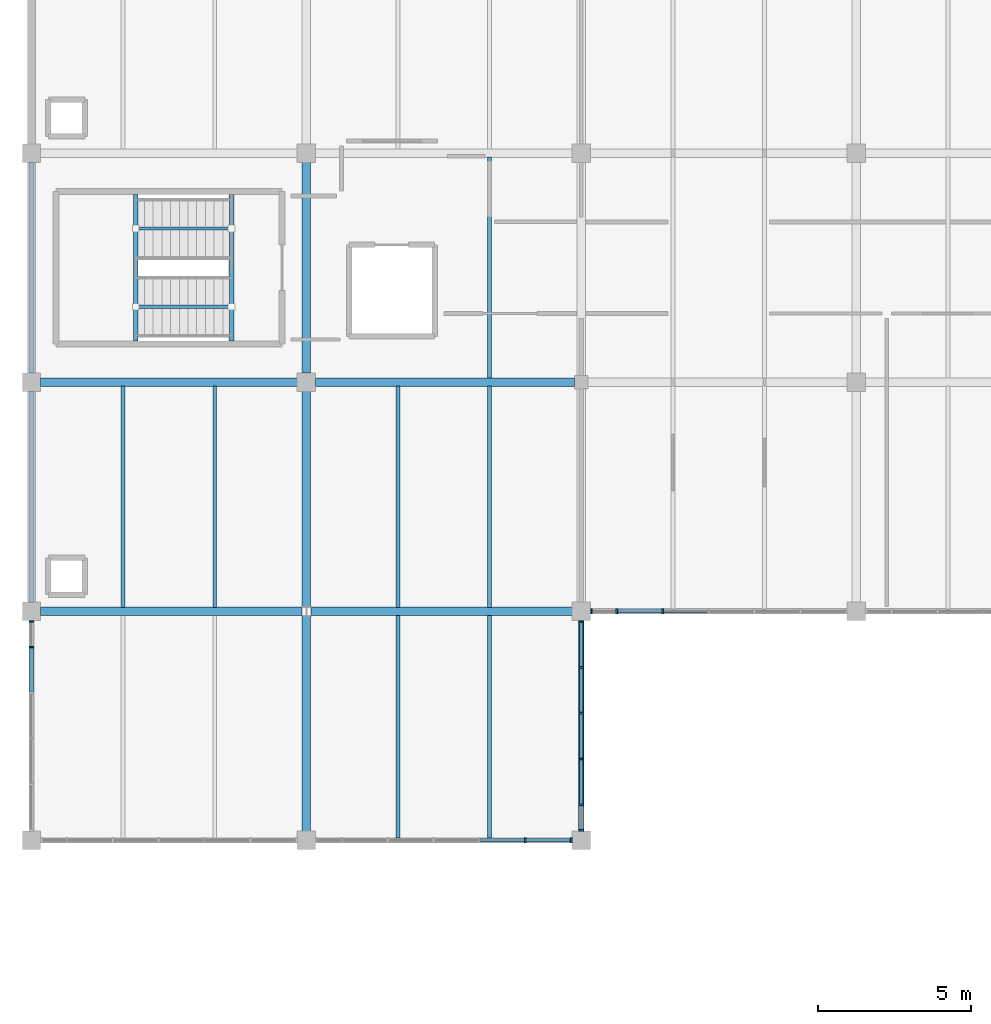
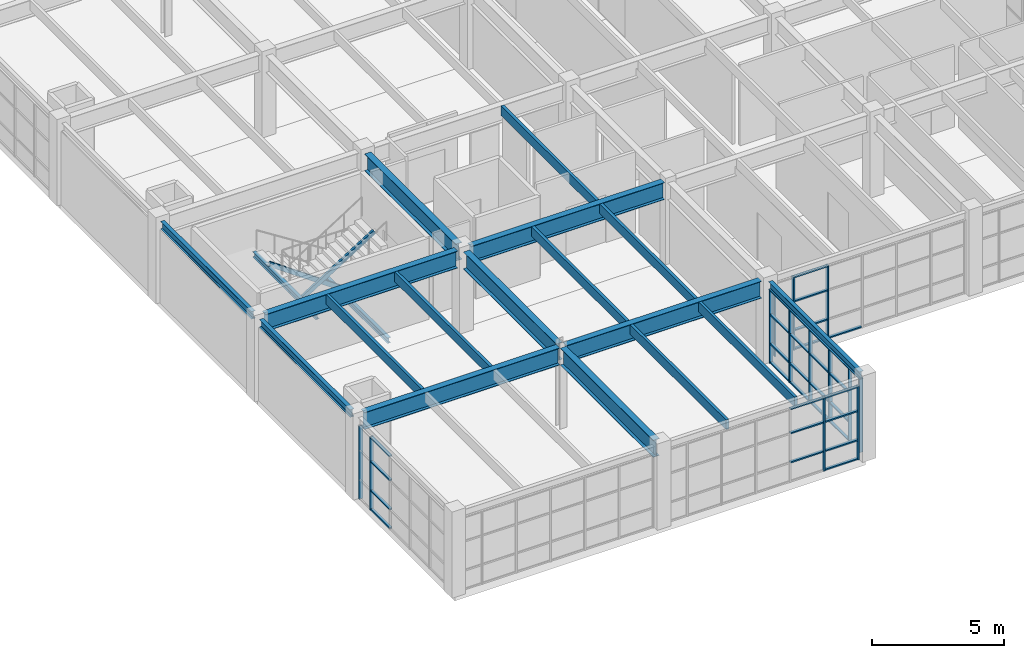
# One storey, part 27 of 76: 47 members, 19 beams, 4 elements without a shape of their own.
"""IFC4 building model written with IfcOpenShell, lengths in metres."""

from ifc_helpers import new_model, si_unit, direction, frame, origin, origin_2d, place, context, subcontext, project, spatial, rectangle, hollow_rectangle, i_section, extrude, material, layer, layer_set, material_profile, profile_set, type_object, element, aggregate, save


model = new_model("IFC4")

# Units and contexts
model_context = context("Model", 3, precision=1e-05, world=origin(), true_north=direction((0.0, 1.0)))
body_context = subcontext(model_context, "Body", "Model", "MODEL_VIEW")
ifc_project = project(units=[si_unit("LENGTHUNIT", "METRE"), si_unit("AREAUNIT", "SQUARE_METRE"), si_unit("VOLUMEUNIT", "CUBIC_METRE"), si_unit("PLANEANGLEUNIT", "RADIAN"), si_unit("MASSUNIT", "GRAM", prefix="KILO")], contexts=[model_context])

# Site, building, storey
site_placement = place(None, origin())
site = spatial("IfcSite", under=ifc_project, at=site_placement, CompositionType="ELEMENT")
building_placement = place(site_placement, origin())
building = spatial("IfcBuilding", under=site, at=building_placement, Name="Marnridge Secondary College", CompositionType="ELEMENT")
storey_placement = place(building_placement, frame((0.0, 0.0, 4.5)))
storey = spatial("IfcBuildingStorey", under=building, at=storey_placement, Name="L01", CompositionType="ELEMENT", Elevation=4.5)

# Beams
ifc_material_1 = material(Name="Engineered timber LVL E13.2", Category="wood")
ifc_material_profile_1 = material_profile(ifc_material_1, rectangle(XDim=0.1259765625, YDim=0.449951171875, at=origin_2d()), Name="LVL 126x450")
ifc_profile_set_1 = profile_set([ifc_material_profile_1], Name="Engineered timber LVL E13.2")
beam_type_1 = type_object("IfcBeamType", Name="BM-LVL450-INT", PredefinedType="JOIST", material=ifc_profile_set_1)
for number, where, z_axis, x_axis, name in (
    (1, (3.0, 82.631591796875, 3.534912109375), (0.0, 1.0, 0.0), (-1.0, 0.0, 0.0), "Beam BJ-L01-0616"),
    (2, (6.0, 82.631591796875, 3.534912109375), (0.0, 1.0, 0.0), (-1.0, 0.0, 0.0), "Beam BJ-L01-0617"),
    (3, (12.0, 82.631591796875, 3.534912109375), (0.0, 1.0, 0.0), (-1.0, 0.0, 0.0), "Beam BJ-L01-0624"),
    (4, (15.0, 82.631591796875, 3.534912109375), (0.0, 1.0, 0.0), (-1.0, 0.0, 0.0), "Beam BJ-L01-0625"),
    (5, (15.0, 90.131591796875, 3.534912109375), (0.0, 1.0, 0.0), (-1.0, 0.0, 0.0), "Beam BJ-L01-0626"),
):
    element("IfcBeam", number, at=place(storey_placement, frame(where, z_axis=z_axis, x_axis=x_axis)), inside=storey, type_object=beam_type_1, Name=name, PredefinedType="JOIST", context=body_context, shape_type="SweptSolid", body=[
        extrude(rectangle(XDim=0.1259765625, YDim=0.449951171875, at=origin_2d()), origin(), (0.0, 0.0, 1.0), 7.23681640625),
    ])
for number, where, z_axis, x_axis, name in (
    (6, (12.0, 75.07958984375, 3.534912109375), (0.0, 1.0, 0.0), (-1.0, 0.0, 0.0), "Beam BJ-L01-0653"),
    (7, (15.0, 75.07958984375, 3.534912109375), (0.0, 1.0, 0.0), (-1.0, 0.0, 0.0), "Beam BJ-L01-0654"),
):
    element("IfcBeam", number, at=place(storey_placement, frame(where, z_axis=z_axis, x_axis=x_axis)), inside=storey, type_object=beam_type_1, Name=name, PredefinedType="JOIST", context=body_context, shape_type="SweptSolid", body=[
        extrude(rectangle(XDim=0.1259765625, YDim=0.449951171875, at=origin_2d()), origin(), (0.0, 0.0, 1.0), 7.288818359375),
    ])
ifc_material_2 = material(Name="Structural steel Grade 350 (AS/NZS 3679.1/.2, fy = 340-360 MPa)", Category="steel")
ifc_material_profile_2 = material_profile(ifc_material_2, i_section(OverallWidth=0.146240234375, OverallDepth=0.256103515625, WebThickness=0.00634765625, FlangeThickness=0.010986328125, FilletRadius=0.0087890625, at=origin_2d()), Name="250UB37.3")
ifc_profile_set_2 = profile_set([ifc_material_profile_2], Name="Structural steel Grade 350 (AS/NZS 3679.1/.2, fy = 340-360 MPa)")
beam_type_2 = type_object("IfcBeamType", Name="BM-UB250-EXT", PredefinedType="LINTEL", material=ifc_profile_set_2)
for number, where, z_axis, x_axis, name in (
    (8, (6.550048828125, 91.342041015625, -0.528076171875), (0.0, 1.0, 0.0), (-1.0, 0.0, 0.0), "Stair landing trimmer beam BT-L01-038"),
    (9, (3.4150390625, 91.342041015625, 1.671875), (0.0, 1.0, 0.0), (-1.0, 0.0, 0.0), "Stair landing trimmer beam BT-L01-039"),
):
    element("IfcBeam", number, at=place(storey_placement, frame(where, z_axis=z_axis, x_axis=x_axis)), inside=storey, type_object=beam_type_2, Name=name, PredefinedType="LINTEL", context=body_context, shape_type="SweptSolid", body=[
        extrude(i_section(OverallWidth=0.146240234375, OverallDepth=0.256103515625, WebThickness=0.00634765625, FlangeThickness=0.010986328125, FilletRadius=0.0087890625, at=origin_2d()), origin(), (0.0, 0.0, 1.0), 4.802978515625),
    ])
ifc_material_3 = material(Name="Structural steel Grade 350 (AS/NZS 3679.1/.2, fy = 340-360 MPa)", Category="steel")
ifc_material_profile_3 = material_profile(ifc_material_3, i_section(OverallWidth=0.1708984375, OverallDepth=0.35205078125, WebThickness=0.0068359375, FlangeThickness=0.009765625, FilletRadius=0.011474609375, at=origin_2d()), Name="360UB44.7")
ifc_profile_set_3 = profile_set([ifc_material_profile_3], Name="Structural steel Grade 350 (AS/NZS 3679.1/.2, fy = 340-360 MPa)")
beam_type_3 = type_object("IfcBeamType", Name="BM-UB360-EXT", PredefinedType="SPANDREL", material=ifc_profile_set_3)
for number, where, z_axis, x_axis, name in (
    (10, (0.0, 82.7939453125, 3.583984375), (0.0, 1.0, 0.0), (-1.0, 0.0, 0.0), "Beam BS-L01-0564"),
    (11, (0.0, 90.2939453125, 3.583984375), (0.0, 1.0, 0.0), (-1.0, 0.0, 0.0), "Beam BS-L01-0567"),
    (12, (18.0, 75.2939453125, 3.583984375), (0.0, 1.0, 0.0), (-1.0, 0.0, 0.0), "Beam BS-L01-0615"),
):
    element("IfcBeam", number, at=place(storey_placement, frame(where, z_axis=z_axis, x_axis=x_axis)), inside=storey, type_object=beam_type_3, Name=name, PredefinedType="SPANDREL", context=body_context, shape_type="SweptSolid", body=[
        extrude(i_section(OverallWidth=0.1708984375, OverallDepth=0.35205078125, WebThickness=0.0068359375, FlangeThickness=0.009765625, FilletRadius=0.011474609375, at=origin_2d()), origin(), (0.0, 0.0, 1.0), 6.912109375),
    ])
ifc_material_4 = material(Name="Structural steel Grade 350 (AS/NZS 3679.1/.2, fy = 340-360 MPa)", Category="steel")
ifc_material_profile_4 = material_profile(ifc_material_4, i_section(OverallWidth=0.27490234375, OverallDepth=0.7919921875, WebThickness=0.010009765625, FlangeThickness=0.02001953125, at=origin_2d()), Name="800WB146")
ifc_profile_set_4 = profile_set([ifc_material_profile_4], Name="Structural steel Grade 350 (AS/NZS 3679.1/.2, fy = 340-360 MPa)")
beam_type_4 = type_object("IfcBeamType", Name="BM-WB800-INT", PredefinedType="BEAM", material=ifc_profile_set_4)
beam_1_placement = place(storey_placement, frame((0.2939453125, 82.5, 3.364013671875), z_axis=(1.0, 0.0, 0.0), x_axis=(0.0, 1.0, 0.0)))
element("IfcBeam", 13, at=beam_1_placement, inside=storey, type_object=beam_type_4, Name="Beam B-L01-0562", PredefinedType="BEAM", context=body_context, shape_type="SweptSolid", body=[
    extrude(i_section(OverallWidth=0.27490234375, OverallDepth=0.7919921875, WebThickness=0.010009765625, FlangeThickness=0.02001953125, at=origin_2d()), origin(), (0.0, 0.0, 1.0), 8.557373046875),
])
beam_2_placement = place(storey_placement, frame((0.2939453125, 90.0, 3.364013671875), z_axis=(1.0, 0.0, 0.0), x_axis=(0.0, 1.0, 0.0)))
element("IfcBeam", 14, at=beam_2_placement, inside=storey, type_object=beam_type_4, Name="Beam B-L01-0563", PredefinedType="BEAM", context=body_context, shape_type="SweptSolid", body=[
    extrude(i_section(OverallWidth=0.27490234375, OverallDepth=0.7919921875, WebThickness=0.010009765625, FlangeThickness=0.02001953125, at=origin_2d()), origin(), (0.0, 0.0, 1.0), 8.412109375),
])
beam_3_placement = place(storey_placement, frame((9.0, 82.654296875, 3.364013671875), z_axis=(0.0, 1.0, 0.0), x_axis=(-1.0, 0.0, 0.0)))
element("IfcBeam", 15, at=beam_3_placement, inside=storey, type_object=beam_type_4, Name="Beam B-L01-0565", PredefinedType="BEAM", context=body_context, shape_type="SweptSolid", body=[
    extrude(i_section(OverallWidth=0.27490234375, OverallDepth=0.7919921875, WebThickness=0.010009765625, FlangeThickness=0.02001953125, at=origin_2d()), origin(), (0.0, 0.0, 1.0), 7.0517578125),
])
beam_4_placement = place(storey_placement, frame((9.0, 90.2939453125, 3.364013671875), z_axis=(0.0, 1.0, 0.0), x_axis=(-1.0, 0.0, 0.0)))
element("IfcBeam", 16, at=beam_4_placement, inside=storey, type_object=beam_type_4, Name="Beam B-L01-0568", PredefinedType="BEAM", context=body_context, shape_type="SweptSolid", body=[
    extrude(i_section(OverallWidth=0.27490234375, OverallDepth=0.7919921875, WebThickness=0.010009765625, FlangeThickness=0.02001953125, at=origin_2d()), origin(), (0.0, 0.0, 1.0), 6.912109375),
])
beam_5_placement = place(storey_placement, frame((9.148681640625, 82.5, 3.364013671875), z_axis=(1.0, 0.0, 0.0), x_axis=(0.0, 1.0, 0.0)))
element("IfcBeam", 17, at=beam_5_placement, inside=storey, type_object=beam_type_4, Name="Beam B-L01-0578", PredefinedType="BEAM", context=body_context, shape_type="SweptSolid", body=[
    extrude(i_section(OverallWidth=0.27490234375, OverallDepth=0.7919921875, WebThickness=0.010009765625, FlangeThickness=0.02001953125, at=origin_2d()), origin(), (0.0, 0.0, 1.0), 8.557373046875),
])
beam_6_placement = place(storey_placement, frame((9.2939453125, 90.0, 3.364013671875), z_axis=(1.0, 0.0, 0.0), x_axis=(0.0, 1.0, 0.0)))
element("IfcBeam", 18, at=beam_6_placement, inside=storey, type_object=beam_type_4, Name="Beam B-L01-0579", PredefinedType="BEAM", context=body_context, shape_type="SweptSolid", body=[
    extrude(i_section(OverallWidth=0.27490234375, OverallDepth=0.7919921875, WebThickness=0.010009765625, FlangeThickness=0.02001953125, at=origin_2d()), origin(), (0.0, 0.0, 1.0), 8.487060546875),
])
beam_7_placement = place(storey_placement, frame((9.0, 75.2939453125, 3.364013671875), z_axis=(0.0, 1.0, 0.0), x_axis=(-1.0, 0.0, 0.0)))
element("IfcBeam", 19, at=beam_7_placement, inside=storey, type_object=beam_type_4, Name="Beam B-L01-0613", PredefinedType="BEAM", context=body_context, shape_type="SweptSolid", body=[
    extrude(i_section(OverallWidth=0.27490234375, OverallDepth=0.7919921875, WebThickness=0.010009765625, FlangeThickness=0.02001953125, at=origin_2d()), origin(), (0.0, 0.0, 1.0), 7.0517578125),
])

# Curtain wall, members
ifc_material_5 = material(Name="Thermally broken aluminium and low-E glazing", Category="aluminium")
ifc_layer = layer(ifc_material_5, 0.159912109375)
ifc_layer_set = layer_set([ifc_layer], Name="CW-MOD-1500")
curtain_wall_type = type_object("IfcCurtainWallType", Name="CW-MOD-1500", PredefinedType="NOTDEFINED", material=ifc_layer_set)
curtain_wall_1_placement = place(storey_placement, origin())
curtain_wall_1 = element("IfcCurtainWall", 20, at=curtain_wall_1_placement, inside=storey, type_object=curtain_wall_type, Name="Unitised curtain wall CW-L01-052", PredefinedType="NOTDEFINED")
ifc_material_6 = material(Name="Anodised aluminium 6063-T6", Category="aluminium")
ifc_material_profile_5 = material_profile(ifc_material_6, rectangle(XDim=0.06005859375, YDim=0.159912109375, at=origin_2d()), Name="ALU 60x160")
ifc_profile_set_5 = profile_set([ifc_material_profile_5], Name="Anodised aluminium 6063-T6")
member_type_1 = type_object("IfcMemberType", Name="CWM-ALU160", PredefinedType="MULLION", material=ifc_profile_set_5)
member_1_placement = place(storey_placement, frame((20.666015625, 82.5, 0.0), z_axis=(0.0, 0.0, 1.0), x_axis=(-1.0, 0.0, 0.0)))
member_1 = element("IfcMember", 21, at=member_1_placement, type_object=member_type_1, Name="CW-L01-052 mullion 5", PredefinedType="MULLION", context=body_context, shape_type="SweptSolid", body=[
    extrude(rectangle(XDim=0.06005859375, YDim=0.159912109375, at=origin_2d()), origin(), (0.0, 0.0, 1.0), 3.39990234375),
])
member_2_placement = place(storey_placement, frame((19.166015625, 82.5, 0.0), z_axis=(0.0, 0.0, 1.0), x_axis=(-1.0, 0.0, 0.0)))
member_2 = element("IfcMember", 22, at=member_2_placement, type_object=member_type_1, Name="CW-L01-052 mullion 6", PredefinedType="MULLION", context=body_context, shape_type="SweptSolid", body=[
    extrude(rectangle(XDim=0.06005859375, YDim=0.159912109375, at=origin_2d()), origin(), (0.0, 0.0, 1.0), 3.39990234375),
])
member_3_placement = place(storey_placement, frame((18.333984375, 82.5, 0.0), z_axis=(0.0, 0.0, 1.0), x_axis=(-1.0, 0.0, 0.0)))
member_3 = element("IfcMember", 23, at=member_3_placement, type_object=member_type_1, Name="CW-L01-052 mullion 7", PredefinedType="MULLION", context=body_context, shape_type="SweptSolid", body=[
    extrude(rectangle(XDim=0.06005859375, YDim=0.159912109375, at=origin_2d()), origin(), (0.0, 0.0, 1.0), 3.39990234375),
])

curtain_wall_2_placement = place(storey_placement, origin())
curtain_wall_2 = element("IfcCurtainWall", 24, at=curtain_wall_2_placement, inside=storey, type_object=curtain_wall_type, Name="Unitised curtain wall CW-L01-053", PredefinedType="NOTDEFINED")
member_4_placement = place(storey_placement, frame((18.0, 82.166015625, 0.0), z_axis=(0.0, 0.0, 1.0), x_axis=(0.0, -1.0, 0.0)))
member_4 = element("IfcMember", 25, at=member_4_placement, type_object=member_type_1, Name="CW-L01-053 mullion 1", PredefinedType="MULLION", context=body_context, shape_type="SweptSolid", body=[
    extrude(rectangle(XDim=0.06005859375, YDim=0.159912109375, at=origin_2d()), origin(), (0.0, 0.0, 1.0), 3.39990234375),
])
member_5_placement = place(storey_placement, frame((18.0, 80.666015625, 0.0), z_axis=(0.0, 0.0, 1.0), x_axis=(0.0, -1.0, 0.0)))
member_5 = element("IfcMember", 26, at=member_5_placement, type_object=member_type_1, Name="CW-L01-053 mullion 2", PredefinedType="MULLION", context=body_context, shape_type="SweptSolid", body=[
    extrude(rectangle(XDim=0.06005859375, YDim=0.159912109375, at=origin_2d()), origin(), (0.0, 0.0, 1.0), 3.39990234375),
])
member_6_placement = place(storey_placement, frame((18.0, 79.166015625, 0.0), z_axis=(0.0, 0.0, 1.0), x_axis=(0.0, -1.0, 0.0)))
member_6 = element("IfcMember", 27, at=member_6_placement, type_object=member_type_1, Name="CW-L01-053 mullion 3", PredefinedType="MULLION", context=body_context, shape_type="SweptSolid", body=[
    extrude(rectangle(XDim=0.06005859375, YDim=0.159912109375, at=origin_2d()), origin(), (0.0, 0.0, 1.0), 3.39990234375),
])
member_7_placement = place(storey_placement, frame((18.0, 77.666015625, 0.0), z_axis=(0.0, 0.0, 1.0), x_axis=(0.0, -1.0, 0.0)))
member_7 = element("IfcMember", 28, at=member_7_placement, type_object=member_type_1, Name="CW-L01-053 mullion 4", PredefinedType="MULLION", context=body_context, shape_type="SweptSolid", body=[
    extrude(rectangle(XDim=0.06005859375, YDim=0.159912109375, at=origin_2d()), origin(), (0.0, 0.0, 1.0), 3.39990234375),
])
member_8_placement = place(storey_placement, frame((18.0, 76.166015625, 0.0), z_axis=(0.0, 0.0, 1.0), x_axis=(0.0, -1.0, 0.0)))
member_8 = element("IfcMember", 29, at=member_8_placement, type_object=member_type_1, Name="CW-L01-053 mullion 5", PredefinedType="MULLION", context=body_context, shape_type="SweptSolid", body=[
    extrude(rectangle(XDim=0.06005859375, YDim=0.159912109375, at=origin_2d()), origin(), (0.0, 0.0, 1.0), 3.39990234375),
])
member_9_placement = place(storey_placement, frame((18.0, 75.333984375, 0.0), z_axis=(0.0, 0.0, 1.0), x_axis=(0.0, -1.0, 0.0)))
member_9 = element("IfcMember", 30, at=member_9_placement, type_object=member_type_1, Name="CW-L01-053 mullion 6", PredefinedType="MULLION", context=body_context, shape_type="SweptSolid", body=[
    extrude(rectangle(XDim=0.06005859375, YDim=0.159912109375, at=origin_2d()), origin(), (0.0, 0.0, 1.0), 3.39990234375),
])

curtain_wall_3_placement = place(storey_placement, origin())
curtain_wall_3 = element("IfcCurtainWall", 31, at=curtain_wall_3_placement, inside=storey, type_object=curtain_wall_type, Name="Unitised curtain wall CW-L01-054", PredefinedType="NOTDEFINED")
member_10_placement = place(storey_placement, frame((17.666015625, 75.0, 0.0), z_axis=(0.0, 0.0, 1.0), x_axis=(-1.0, 0.0, 0.0)))
member_10 = element("IfcMember", 32, at=member_10_placement, type_object=member_type_1, Name="CW-L01-054 mullion 1", PredefinedType="MULLION", context=body_context, shape_type="SweptSolid", body=[
    extrude(rectangle(XDim=0.06005859375, YDim=0.159912109375, at=origin_2d()), origin(), (0.0, 0.0, 1.0), 3.39990234375),
])
member_11_placement = place(storey_placement, frame((16.166015625, 75.0, 0.0), z_axis=(0.0, 0.0, 1.0), x_axis=(-1.0, 0.0, 0.0)))
member_11 = element("IfcMember", 33, at=member_11_placement, type_object=member_type_1, Name="CW-L01-054 mullion 2", PredefinedType="MULLION", context=body_context, shape_type="SweptSolid", body=[
    extrude(rectangle(XDim=0.06005859375, YDim=0.159912109375, at=origin_2d()), origin(), (0.0, 0.0, 1.0), 3.39990234375),
])

curtain_wall_4_placement = place(storey_placement, origin())
curtain_wall_4 = element("IfcCurtainWall", 34, at=curtain_wall_4_placement, inside=storey, type_object=curtain_wall_type, Name="Unitised curtain wall CW-L01-056", PredefinedType="NOTDEFINED")
member_12_placement = place(storey_placement, frame((0.0, 81.333984375, 0.0), z_axis=(0.0, 0.0, 1.0), x_axis=(0.0, 1.0, 0.0)))
member_12 = element("IfcMember", 35, at=member_12_placement, type_object=member_type_1, Name="CW-L01-056 mullion 5", PredefinedType="MULLION", context=body_context, shape_type="SweptSolid", body=[
    extrude(rectangle(XDim=0.06005859375, YDim=0.159912109375, at=origin_2d()), origin(), (0.0, 0.0, 1.0), 3.39990234375),
])
member_13_placement = place(storey_placement, frame((0.0, 82.166015625, 0.0), z_axis=(0.0, 0.0, 1.0), x_axis=(0.0, 1.0, 0.0)))
member_13 = element("IfcMember", 36, at=member_13_placement, type_object=member_type_1, Name="CW-L01-056 mullion 6", PredefinedType="MULLION", context=body_context, shape_type="SweptSolid", body=[
    extrude(rectangle(XDim=0.06005859375, YDim=0.159912109375, at=origin_2d()), origin(), (0.0, 0.0, 1.0), 3.39990234375),
])

# Member
ifc_material_7 = material(Name="Anodised aluminium 6063-T6", Category="aluminium")
ifc_material_profile_6 = material_profile(ifc_material_7, rectangle(XDim=0.06005859375, YDim=0.1201171875, at=origin_2d()), Name="ALU 60x120")
ifc_profile_set_6 = profile_set([ifc_material_profile_6], Name="Anodised aluminium 6063-T6")
member_type_2 = type_object("IfcMemberType", Name="CWT-ALU120", PredefinedType="USERDEFINED", material=ifc_profile_set_6)
member_14_placement = place(storey_placement, frame((22.135986328125, 82.5, 0.030029296875), z_axis=(-1.0, 0.0, 0.0), x_axis=(0.0, 0.0, 1.0)))
member_14 = element("IfcMember", 37, at=member_14_placement, type_object=member_type_2, Name="CW-L01-052 transom 4.1", ObjectType="TRANSOM", PredefinedType="USERDEFINED", context=body_context, shape_type="SweptSolid", body=[
    extrude(rectangle(XDim=0.06005859375, YDim=0.1201171875, at=origin_2d()), origin(), (0.0, 0.0, 1.0), 1.43994140625),
])

member_15_placement = place(storey_placement, frame((20.635986328125, 82.5, 0.030029296875), z_axis=(-1.0, 0.0, 0.0), x_axis=(0.0, 0.0, 1.0)))
member_15 = element("IfcMember", 38, at=member_15_placement, type_object=member_type_2, Name="CW-L01-052 transom 5.1", ObjectType="TRANSOM", PredefinedType="USERDEFINED", context=body_context, shape_type="SweptSolid", body=[
    extrude(rectangle(XDim=0.06005859375, YDim=0.1201171875, at=origin_2d()), origin(), (0.0, 0.0, 1.0), 1.43994140625),
])

member_16_placement = place(storey_placement, frame((20.635986328125, 82.5, 0.89990234375), z_axis=(-1.0, 0.0, 0.0), x_axis=(0.0, 0.0, 1.0)))
member_16 = element("IfcMember", 39, at=member_16_placement, type_object=member_type_2, Name="CW-L01-052 transom 5.2", ObjectType="TRANSOM", PredefinedType="USERDEFINED", context=body_context, shape_type="SweptSolid", body=[
    extrude(rectangle(XDim=0.06005859375, YDim=0.1201171875, at=origin_2d()), origin(), (0.0, 0.0, 1.0), 1.43994140625),
])

member_17_placement = place(storey_placement, frame((20.635986328125, 82.5, 2.25), z_axis=(-1.0, 0.0, 0.0), x_axis=(0.0, 0.0, 1.0)))
member_17 = element("IfcMember", 40, at=member_17_placement, type_object=member_type_2, Name="CW-L01-052 transom 5.3", ObjectType="TRANSOM", PredefinedType="USERDEFINED", context=body_context, shape_type="SweptSolid", body=[
    extrude(rectangle(XDim=0.06005859375, YDim=0.1201171875, at=origin_2d()), origin(), (0.0, 0.0, 1.0), 1.43994140625),
])

member_18_placement = place(storey_placement, frame((20.635986328125, 82.5, 3.3701171875), z_axis=(-1.0, 0.0, 0.0), x_axis=(0.0, 0.0, 1.0)))
member_18 = element("IfcMember", 41, at=member_18_placement, type_object=member_type_2, Name="CW-L01-052 transom 5.4", ObjectType="TRANSOM", PredefinedType="USERDEFINED", context=body_context, shape_type="SweptSolid", body=[
    extrude(rectangle(XDim=0.06005859375, YDim=0.1201171875, at=origin_2d()), origin(), (0.0, 0.0, 1.0), 1.43994140625),
])

aggregate(curtain_wall_1, [member_1, member_2, member_3, member_14, member_15, member_16, member_17, member_18])

member_19_placement = place(storey_placement, frame((18.0, 82.135986328125, 0.030029296875), z_axis=(0.0, -1.0, 0.0), x_axis=(0.0, 0.0, 1.0)))
member_19 = element("IfcMember", 42, at=member_19_placement, type_object=member_type_2, Name="CW-L01-053 transom 1.1", ObjectType="TRANSOM", PredefinedType="USERDEFINED", context=body_context, shape_type="SweptSolid", body=[
    extrude(rectangle(XDim=0.06005859375, YDim=0.1201171875, at=origin_2d()), origin(), (0.0, 0.0, 1.0), 1.43994140625),
])

member_20_placement = place(storey_placement, frame((18.0, 82.135986328125, 0.89990234375), z_axis=(0.0, -1.0, 0.0), x_axis=(0.0, 0.0, 1.0)))
member_20 = element("IfcMember", 43, at=member_20_placement, type_object=member_type_2, Name="CW-L01-053 transom 1.2", ObjectType="TRANSOM", PredefinedType="USERDEFINED", context=body_context, shape_type="SweptSolid", body=[
    extrude(rectangle(XDim=0.06005859375, YDim=0.1201171875, at=origin_2d()), origin(), (0.0, 0.0, 1.0), 1.43994140625),
])

member_21_placement = place(storey_placement, frame((18.0, 82.135986328125, 2.25), z_axis=(0.0, -1.0, 0.0), x_axis=(0.0, 0.0, 1.0)))
member_21 = element("IfcMember", 44, at=member_21_placement, type_object=member_type_2, Name="CW-L01-053 transom 1.3", ObjectType="TRANSOM", PredefinedType="USERDEFINED", context=body_context, shape_type="SweptSolid", body=[
    extrude(rectangle(XDim=0.06005859375, YDim=0.1201171875, at=origin_2d()), origin(), (0.0, 0.0, 1.0), 1.43994140625),
])

member_22_placement = place(storey_placement, frame((18.0, 82.135986328125, 3.3701171875), z_axis=(0.0, -1.0, 0.0), x_axis=(0.0, 0.0, 1.0)))
member_22 = element("IfcMember", 45, at=member_22_placement, type_object=member_type_2, Name="CW-L01-053 transom 1.4", ObjectType="TRANSOM", PredefinedType="USERDEFINED", context=body_context, shape_type="SweptSolid", body=[
    extrude(rectangle(XDim=0.06005859375, YDim=0.1201171875, at=origin_2d()), origin(), (0.0, 0.0, 1.0), 1.43994140625),
])

member_23_placement = place(storey_placement, frame((18.0, 80.635986328125, 0.030029296875), z_axis=(0.0, -1.0, 0.0), x_axis=(0.0, 0.0, 1.0)))
member_23 = element("IfcMember", 46, at=member_23_placement, type_object=member_type_2, Name="CW-L01-053 transom 2.1", ObjectType="TRANSOM", PredefinedType="USERDEFINED", context=body_context, shape_type="SweptSolid", body=[
    extrude(rectangle(XDim=0.06005859375, YDim=0.1201171875, at=origin_2d()), origin(), (0.0, 0.0, 1.0), 1.43994140625),
])

member_24_placement = place(storey_placement, frame((18.0, 80.635986328125, 0.89990234375), z_axis=(0.0, -1.0, 0.0), x_axis=(0.0, 0.0, 1.0)))
member_24 = element("IfcMember", 47, at=member_24_placement, type_object=member_type_2, Name="CW-L01-053 transom 2.2", ObjectType="TRANSOM", PredefinedType="USERDEFINED", context=body_context, shape_type="SweptSolid", body=[
    extrude(rectangle(XDim=0.06005859375, YDim=0.1201171875, at=origin_2d()), origin(), (0.0, 0.0, 1.0), 1.43994140625),
])

member_25_placement = place(storey_placement, frame((18.0, 80.635986328125, 2.25), z_axis=(0.0, -1.0, 0.0), x_axis=(0.0, 0.0, 1.0)))
member_25 = element("IfcMember", 48, at=member_25_placement, type_object=member_type_2, Name="CW-L01-053 transom 2.3", ObjectType="TRANSOM", PredefinedType="USERDEFINED", context=body_context, shape_type="SweptSolid", body=[
    extrude(rectangle(XDim=0.06005859375, YDim=0.1201171875, at=origin_2d()), origin(), (0.0, 0.0, 1.0), 1.43994140625),
])

member_26_placement = place(storey_placement, frame((18.0, 80.635986328125, 3.3701171875), z_axis=(0.0, -1.0, 0.0), x_axis=(0.0, 0.0, 1.0)))
member_26 = element("IfcMember", 49, at=member_26_placement, type_object=member_type_2, Name="CW-L01-053 transom 2.4", ObjectType="TRANSOM", PredefinedType="USERDEFINED", context=body_context, shape_type="SweptSolid", body=[
    extrude(rectangle(XDim=0.06005859375, YDim=0.1201171875, at=origin_2d()), origin(), (0.0, 0.0, 1.0), 1.43994140625),
])

member_27_placement = place(storey_placement, frame((18.0, 79.135986328125, 0.030029296875), z_axis=(0.0, -1.0, 0.0), x_axis=(0.0, 0.0, 1.0)))
member_27 = element("IfcMember", 50, at=member_27_placement, type_object=member_type_2, Name="CW-L01-053 transom 3.1", ObjectType="TRANSOM", PredefinedType="USERDEFINED", context=body_context, shape_type="SweptSolid", body=[
    extrude(rectangle(XDim=0.06005859375, YDim=0.1201171875, at=origin_2d()), origin(), (0.0, 0.0, 1.0), 1.43994140625),
])

member_28_placement = place(storey_placement, frame((18.0, 79.135986328125, 0.89990234375), z_axis=(0.0, -1.0, 0.0), x_axis=(0.0, 0.0, 1.0)))
member_28 = element("IfcMember", 51, at=member_28_placement, type_object=member_type_2, Name="CW-L01-053 transom 3.2", ObjectType="TRANSOM", PredefinedType="USERDEFINED", context=body_context, shape_type="SweptSolid", body=[
    extrude(rectangle(XDim=0.06005859375, YDim=0.1201171875, at=origin_2d()), origin(), (0.0, 0.0, 1.0), 1.43994140625),
])

member_29_placement = place(storey_placement, frame((18.0, 79.135986328125, 2.25), z_axis=(0.0, -1.0, 0.0), x_axis=(0.0, 0.0, 1.0)))
member_29 = element("IfcMember", 52, at=member_29_placement, type_object=member_type_2, Name="CW-L01-053 transom 3.3", ObjectType="TRANSOM", PredefinedType="USERDEFINED", context=body_context, shape_type="SweptSolid", body=[
    extrude(rectangle(XDim=0.06005859375, YDim=0.1201171875, at=origin_2d()), origin(), (0.0, 0.0, 1.0), 1.43994140625),
])

member_30_placement = place(storey_placement, frame((18.0, 79.135986328125, 3.3701171875), z_axis=(0.0, -1.0, 0.0), x_axis=(0.0, 0.0, 1.0)))
member_30 = element("IfcMember", 53, at=member_30_placement, type_object=member_type_2, Name="CW-L01-053 transom 3.4", ObjectType="TRANSOM", PredefinedType="USERDEFINED", context=body_context, shape_type="SweptSolid", body=[
    extrude(rectangle(XDim=0.06005859375, YDim=0.1201171875, at=origin_2d()), origin(), (0.0, 0.0, 1.0), 1.43994140625),
])

member_31_placement = place(storey_placement, frame((18.0, 77.635986328125, 0.030029296875), z_axis=(0.0, -1.0, 0.0), x_axis=(0.0, 0.0, 1.0)))
member_31 = element("IfcMember", 54, at=member_31_placement, type_object=member_type_2, Name="CW-L01-053 transom 4.1", ObjectType="TRANSOM", PredefinedType="USERDEFINED", context=body_context, shape_type="SweptSolid", body=[
    extrude(rectangle(XDim=0.06005859375, YDim=0.1201171875, at=origin_2d()), origin(), (0.0, 0.0, 1.0), 1.43994140625),
])

member_32_placement = place(storey_placement, frame((18.0, 77.635986328125, 0.89990234375), z_axis=(0.0, -1.0, 0.0), x_axis=(0.0, 0.0, 1.0)))
member_32 = element("IfcMember", 55, at=member_32_placement, type_object=member_type_2, Name="CW-L01-053 transom 4.2", ObjectType="TRANSOM", PredefinedType="USERDEFINED", context=body_context, shape_type="SweptSolid", body=[
    extrude(rectangle(XDim=0.06005859375, YDim=0.1201171875, at=origin_2d()), origin(), (0.0, 0.0, 1.0), 1.43994140625),
])

member_33_placement = place(storey_placement, frame((18.0, 77.635986328125, 2.25), z_axis=(0.0, -1.0, 0.0), x_axis=(0.0, 0.0, 1.0)))
member_33 = element("IfcMember", 56, at=member_33_placement, type_object=member_type_2, Name="CW-L01-053 transom 4.3", ObjectType="TRANSOM", PredefinedType="USERDEFINED", context=body_context, shape_type="SweptSolid", body=[
    extrude(rectangle(XDim=0.06005859375, YDim=0.1201171875, at=origin_2d()), origin(), (0.0, 0.0, 1.0), 1.43994140625),
])

member_34_placement = place(storey_placement, frame((18.0, 77.635986328125, 3.3701171875), z_axis=(0.0, -1.0, 0.0), x_axis=(0.0, 0.0, 1.0)))
member_34 = element("IfcMember", 57, at=member_34_placement, type_object=member_type_2, Name="CW-L01-053 transom 4.4", ObjectType="TRANSOM", PredefinedType="USERDEFINED", context=body_context, shape_type="SweptSolid", body=[
    extrude(rectangle(XDim=0.06005859375, YDim=0.1201171875, at=origin_2d()), origin(), (0.0, 0.0, 1.0), 1.43994140625),
])

aggregate(curtain_wall_2, [member_4, member_5, member_6, member_7, member_8, member_9, member_19, member_20, member_21, member_22, member_23, member_24, member_25, member_26, member_27, member_28, member_29, member_30, member_31, member_32, member_33, member_34])

member_35_placement = place(storey_placement, frame((17.635986328125, 75.0, 0.030029296875), z_axis=(-1.0, 0.0, 0.0), x_axis=(0.0, 0.0, 1.0)))
member_35 = element("IfcMember", 58, at=member_35_placement, type_object=member_type_2, Name="CW-L01-054 transom 1.1", ObjectType="TRANSOM", PredefinedType="USERDEFINED", context=body_context, shape_type="SweptSolid", body=[
    extrude(rectangle(XDim=0.06005859375, YDim=0.1201171875, at=origin_2d()), origin(), (0.0, 0.0, 1.0), 1.43994140625),
])

member_36_placement = place(storey_placement, frame((17.635986328125, 75.0, 0.89990234375), z_axis=(-1.0, 0.0, 0.0), x_axis=(0.0, 0.0, 1.0)))
member_36 = element("IfcMember", 59, at=member_36_placement, type_object=member_type_2, Name="CW-L01-054 transom 1.2", ObjectType="TRANSOM", PredefinedType="USERDEFINED", context=body_context, shape_type="SweptSolid", body=[
    extrude(rectangle(XDim=0.06005859375, YDim=0.1201171875, at=origin_2d()), origin(), (0.0, 0.0, 1.0), 1.43994140625),
])

member_37_placement = place(storey_placement, frame((17.635986328125, 75.0, 2.25), z_axis=(-1.0, 0.0, 0.0), x_axis=(0.0, 0.0, 1.0)))
member_37 = element("IfcMember", 60, at=member_37_placement, type_object=member_type_2, Name="CW-L01-054 transom 1.3", ObjectType="TRANSOM", PredefinedType="USERDEFINED", context=body_context, shape_type="SweptSolid", body=[
    extrude(rectangle(XDim=0.06005859375, YDim=0.1201171875, at=origin_2d()), origin(), (0.0, 0.0, 1.0), 1.43994140625),
])

member_38_placement = place(storey_placement, frame((17.635986328125, 75.0, 3.3701171875), z_axis=(-1.0, 0.0, 0.0), x_axis=(0.0, 0.0, 1.0)))
member_38 = element("IfcMember", 61, at=member_38_placement, type_object=member_type_2, Name="CW-L01-054 transom 1.4", ObjectType="TRANSOM", PredefinedType="USERDEFINED", context=body_context, shape_type="SweptSolid", body=[
    extrude(rectangle(XDim=0.06005859375, YDim=0.1201171875, at=origin_2d()), origin(), (0.0, 0.0, 1.0), 1.43994140625),
])

member_39_placement = place(storey_placement, frame((16.135986328125, 75.0, 0.89990234375), z_axis=(-1.0, 0.0, 0.0), x_axis=(0.0, 0.0, 1.0)))
member_39 = element("IfcMember", 62, at=member_39_placement, type_object=member_type_2, Name="CW-L01-054 transom 2.2", ObjectType="TRANSOM", PredefinedType="USERDEFINED", context=body_context, shape_type="SweptSolid", body=[
    extrude(rectangle(XDim=0.06005859375, YDim=0.1201171875, at=origin_2d()), origin(), (0.0, 0.0, 1.0), 1.43994140625),
])

member_40_placement = place(storey_placement, frame((16.135986328125, 75.0, 2.25), z_axis=(-1.0, 0.0, 0.0), x_axis=(0.0, 0.0, 1.0)))
member_40 = element("IfcMember", 63, at=member_40_placement, type_object=member_type_2, Name="CW-L01-054 transom 2.3", ObjectType="TRANSOM", PredefinedType="USERDEFINED", context=body_context, shape_type="SweptSolid", body=[
    extrude(rectangle(XDim=0.06005859375, YDim=0.1201171875, at=origin_2d()), origin(), (0.0, 0.0, 1.0), 1.43994140625),
])

member_41_placement = place(storey_placement, frame((16.135986328125, 75.0, 3.3701171875), z_axis=(-1.0, 0.0, 0.0), x_axis=(0.0, 0.0, 1.0)))
member_41 = element("IfcMember", 64, at=member_41_placement, type_object=member_type_2, Name="CW-L01-054 transom 2.4", ObjectType="TRANSOM", PredefinedType="USERDEFINED", context=body_context, shape_type="SweptSolid", body=[
    extrude(rectangle(XDim=0.06005859375, YDim=0.1201171875, at=origin_2d()), origin(), (0.0, 0.0, 1.0), 1.43994140625),
])

aggregate(curtain_wall_3, [member_10, member_11, member_35, member_36, member_37, member_38, member_39, member_40, member_41])

member_42_placement = place(storey_placement, frame((0.0, 79.864013671875, 0.030029296875), z_axis=(0.0, 1.0, 0.0), x_axis=(0.0, 0.0, 1.0)))
member_42 = element("IfcMember", 65, at=member_42_placement, type_object=member_type_2, Name="CW-L01-056 transom 4.1", ObjectType="TRANSOM", PredefinedType="USERDEFINED", context=body_context, shape_type="SweptSolid", body=[
    extrude(rectangle(XDim=0.06005859375, YDim=0.1201171875, at=origin_2d()), origin(), (0.0, 0.0, 1.0), 1.43994140625),
])

member_43_placement = place(storey_placement, frame((0.0, 79.864013671875, 0.89990234375), z_axis=(0.0, 1.0, 0.0), x_axis=(0.0, 0.0, 1.0)))
member_43 = element("IfcMember", 66, at=member_43_placement, type_object=member_type_2, Name="CW-L01-056 transom 4.2", ObjectType="TRANSOM", PredefinedType="USERDEFINED", context=body_context, shape_type="SweptSolid", body=[
    extrude(rectangle(XDim=0.06005859375, YDim=0.1201171875, at=origin_2d()), origin(), (0.0, 0.0, 1.0), 1.43994140625),
])

member_44_placement = place(storey_placement, frame((0.0, 79.864013671875, 2.25), z_axis=(0.0, 1.0, 0.0), x_axis=(0.0, 0.0, 1.0)))
member_44 = element("IfcMember", 67, at=member_44_placement, type_object=member_type_2, Name="CW-L01-056 transom 4.3", ObjectType="TRANSOM", PredefinedType="USERDEFINED", context=body_context, shape_type="SweptSolid", body=[
    extrude(rectangle(XDim=0.06005859375, YDim=0.1201171875, at=origin_2d()), origin(), (0.0, 0.0, 1.0), 1.43994140625),
])

member_45_placement = place(storey_placement, frame((0.0, 79.864013671875, 3.3701171875), z_axis=(0.0, 1.0, 0.0), x_axis=(0.0, 0.0, 1.0)))
member_45 = element("IfcMember", 68, at=member_45_placement, type_object=member_type_2, Name="CW-L01-056 transom 4.4", ObjectType="TRANSOM", PredefinedType="USERDEFINED", context=body_context, shape_type="SweptSolid", body=[
    extrude(rectangle(XDim=0.06005859375, YDim=0.1201171875, at=origin_2d()), origin(), (0.0, 0.0, 1.0), 1.43994140625),
])

aggregate(curtain_wall_4, [member_12, member_13, member_42, member_43, member_44, member_45])

# Members
ifc_material_8 = material(Name="Cold-formed steel Grade C350L0 (AS/NZS 1163, fy = 350 MPa)", Category="steel")
ifc_material_profile_7 = material_profile(ifc_material_8, hollow_rectangle(XDim=0.10009765625, YDim=0.199951171875, WallThickness=0.006103515625, at=origin_2d()), Name="200x100x6.0RHS")
ifc_profile_set_7 = profile_set([ifc_material_profile_7], Name="Cold-formed steel Grade C350L0 (AS/NZS 1163, fy = 350 MPa)")
member_type_3 = type_object("IfcMemberType", Name="MB-STR-RHS200", PredefinedType="STRINGER", material=ifc_profile_set_7)
member_46_placement = place(storey_placement, frame((6.550048828125, 95.030029296875, -0.30810546875), z_axis=(-0.818533555274, 0.0, 0.574458718178), x_axis=(0.0, -1.0, 0.0)))
element("IfcMember", 69, at=member_46_placement, inside=storey, type_object=member_type_3, Name="Stair stringer STR-039", PredefinedType="STRINGER", context=body_context, shape_type="SweptSolid", body=[
    extrude(hollow_rectangle(XDim=0.10009765625, YDim=0.199951171875, WallThickness=0.006103515625, at=origin_2d()), origin(), (0.0, 0.0, 1.0), 3.830078125),
])
member_47_placement = place(storey_placement, frame((3.4150390625, 92.469970703125, 1.89208984375), z_axis=(0.847927812005, 0.0, 0.530111710519), x_axis=(0.0, 1.0, 0.0)))
element("IfcMember", 70, at=member_47_placement, inside=storey, type_object=member_type_3, Name="Stair stringer STR-040", PredefinedType="STRINGER", context=body_context, shape_type="SweptSolid", body=[
    extrude(hollow_rectangle(XDim=0.10009765625, YDim=0.199951171875, WallThickness=0.006103515625, at=origin_2d()), origin(), (0.0, 0.0, 1.0), 3.697265625),
])

save(model, "model.ifc")
